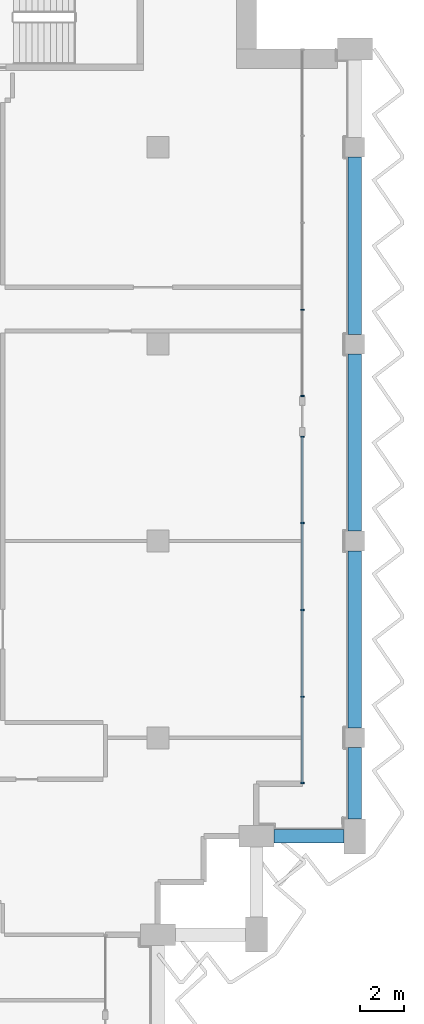
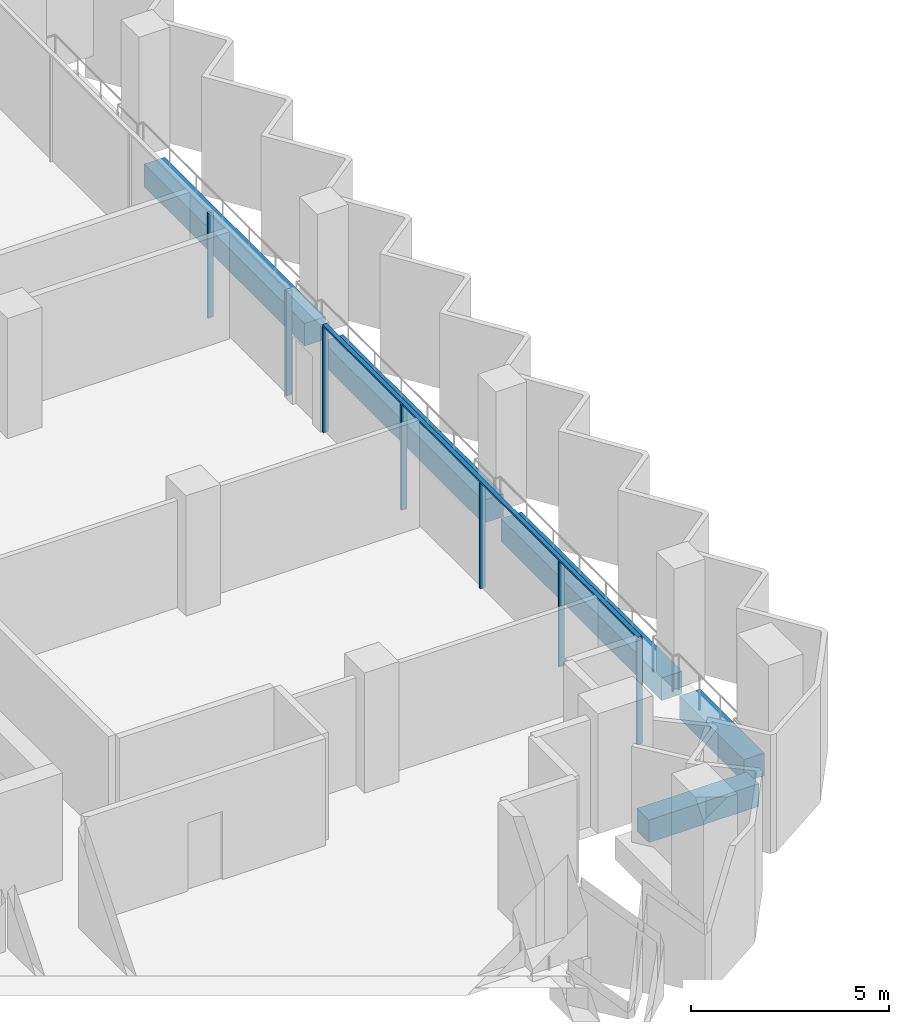
# One storey, part 4 of 16: 8 members, 5 beams, 2 elements without a shape of their own.
"""IFC4 building model written with IfcOpenShell, lengths in metres."""

from ifc_helpers import new_model, si_unit, direction, frame, origin, origin_2d, place, context, subcontext, project, spatial, rectangle, extrude, material, material_profile, profile_set, type_object, element, aggregate, save


model = new_model("IFC4")

# Units and contexts
model_context = context("Model", 3, precision=1e-05, world=origin(), true_north=direction((0.0, 1.0)))
body_context = subcontext(model_context, "Body", "Model", "MODEL_VIEW")
ifc_project = project(units=[si_unit("LENGTHUNIT", "METRE"), si_unit("AREAUNIT", "SQUARE_METRE"), si_unit("VOLUMEUNIT", "CUBIC_METRE"), si_unit("PLANEANGLEUNIT", "RADIAN"), si_unit("MASSUNIT", "GRAM", prefix="KILO")], contexts=[model_context])

# Site, building, storey
site_placement = place(None, origin())
site = spatial("IfcSite", under=ifc_project, at=site_placement, CompositionType="ELEMENT")
building_placement = place(site_placement, origin())
building = spatial("IfcBuilding", under=site, at=building_placement, Name="Hunhe Ridgeline Campus", CompositionType="ELEMENT")
storey_placement = place(building_placement, frame((0.0, 0.0, 261.39990234375)))
storey = spatial("IfcBuildingStorey", under=building, at=storey_placement, Name="L67", CompositionType="ELEMENT", Elevation=261.39990234375)

# Curtain wall, members
ifc_material_1 = material(Name="Aluminium 6063", Category="aluminium")
curtain_wall_type = type_object("IfcCurtainWallType", Name="Curtain wall CW-1", PredefinedType="NOTDEFINED", material=ifc_material_1)
curtain_wall_1_placement = place(storey_placement, origin())
curtain_wall_1 = element("IfcCurtainWall", 1, at=curtain_wall_1_placement, inside=storey, type_object=curtain_wall_type, Name="Curtain wall 13", PredefinedType="NOTDEFINED")
ifc_material_profile_1 = material_profile(ifc_material_1, rectangle(XDim=0.159912109375, YDim=0.06005859375, at=origin_2d()))
ifc_profile_set_1 = profile_set([ifc_material_profile_1], Name="Aluminium 6063")
member_type_1 = type_object("IfcMemberType", Name="CW-1 aluminium mullion", PredefinedType="MULLION", material=ifc_profile_set_1)
member_1_placement = place(storey_placement, frame((51.59912109375, 60.930908203125, 0.0), z_axis=(0.0, 0.0, 1.0), x_axis=(-1.0, 0.0, 0.0)))
member_1 = element("IfcMember", 2, at=member_1_placement, type_object=member_type_1, Name="CW-1 mullion 1", PredefinedType="MULLION", context=body_context, shape_type="SweptSolid", body=[
    extrude(rectangle(XDim=0.159912109375, YDim=0.06005859375, at=origin_2d()), origin(), (0.0, 0.0, 1.0), 3.239990234375),
])
member_2_placement = place(storey_placement, frame((51.59912109375, 64.8759765625, 0.0), z_axis=(0.0, 0.0, 1.0), x_axis=(-1.0, 0.0, 0.0)))
member_2 = element("IfcMember", 3, at=member_2_placement, type_object=member_type_1, Name="CW-1 mullion 2", PredefinedType="MULLION", context=body_context, shape_type="SweptSolid", body=[
    extrude(rectangle(XDim=0.159912109375, YDim=0.06005859375, at=origin_2d()), origin(), (0.0, 0.0, 1.0), 3.239990234375),
])
member_3_placement = place(storey_placement, frame((51.59912109375, 68.850830078125, 0.0), z_axis=(0.0, 0.0, 1.0), x_axis=(-1.0, 0.0, 0.0)))
member_3 = element("IfcMember", 4, at=member_3_placement, type_object=member_type_1, Name="CW-1 mullion 3", PredefinedType="MULLION", context=body_context, shape_type="SweptSolid", body=[
    extrude(rectangle(XDim=0.159912109375, YDim=0.06005859375, at=origin_2d()), origin(), (0.0, 0.0, 1.0), 3.239990234375),
])
member_4_placement = place(storey_placement, frame((51.59912109375, 72.82568359375, 0.0), z_axis=(0.0, 0.0, 1.0), x_axis=(-1.0, 0.0, 0.0)))
member_4 = element("IfcMember", 5, at=member_4_placement, type_object=member_type_1, Name="CW-1 mullion 4", PredefinedType="MULLION", context=body_context, shape_type="SweptSolid", body=[
    extrude(rectangle(XDim=0.159912109375, YDim=0.06005859375, at=origin_2d()), origin(), (0.0, 0.0, 1.0), 3.239990234375),
])
member_5_placement = place(storey_placement, frame((51.59912109375, 76.7705078125, 0.0), z_axis=(0.0, 0.0, 1.0), x_axis=(-1.0, 0.0, 0.0)))
member_5 = element("IfcMember", 6, at=member_5_placement, type_object=member_type_1, Name="CW-1 mullion 5", PredefinedType="MULLION", context=body_context, shape_type="SweptSolid", body=[
    extrude(rectangle(XDim=0.159912109375, YDim=0.06005859375, at=origin_2d()), origin(), (0.0, 0.0, 1.0), 3.239990234375),
])

curtain_wall_2_placement = place(storey_placement, origin())
curtain_wall_2 = element("IfcCurtainWall", 7, at=curtain_wall_2_placement, inside=storey, type_object=curtain_wall_type, Name="Curtain wall 14", PredefinedType="NOTDEFINED")
member_6_placement = place(storey_placement, frame((51.59912109375, 78.630615234375, 0.0), z_axis=(0.0, 0.0, 1.0), x_axis=(-1.0, 0.0, 0.0)))
member_6 = element("IfcMember", 8, at=member_6_placement, type_object=member_type_1, Name="CW-1 mullion 1", PredefinedType="MULLION", context=body_context, shape_type="SweptSolid", body=[
    extrude(rectangle(XDim=0.159912109375, YDim=0.06005859375, at=origin_2d()), origin(), (0.0, 0.0, 1.0), 3.239990234375),
])
member_7_placement = place(storey_placement, frame((51.59912109375, 82.575439453125, 0.0), z_axis=(0.0, 0.0, 1.0), x_axis=(-1.0, 0.0, 0.0)))
member_7 = element("IfcMember", 9, at=member_7_placement, type_object=member_type_1, Name="CW-1 mullion 2", PredefinedType="MULLION", context=body_context, shape_type="SweptSolid", body=[
    extrude(rectangle(XDim=0.159912109375, YDim=0.06005859375, at=origin_2d()), origin(), (0.0, 0.0, 1.0), 3.239990234375),
])
aggregate(curtain_wall_2, [member_6, member_7])

# Member
ifc_material_profile_2 = material_profile(ifc_material_1, rectangle(XDim=0.1201171875, YDim=0.06005859375, at=origin_2d()))
ifc_profile_set_2 = profile_set([ifc_material_profile_2], Name="Aluminium 6063")
member_type_2 = type_object("IfcMemberType", Name="CW-1 aluminium transom", PredefinedType="USERDEFINED", material=ifc_profile_set_2)
member_8_placement = place(storey_placement, frame((51.59912109375, 60.90087890625, 3.27001953125), z_axis=(0.0, 1.0, 0.0), x_axis=(-1.0, 0.0, 0.0)))
member_8 = element("IfcMember", 10, at=member_8_placement, type_object=member_type_2, Name="CW-1 transom 1", ObjectType="TRANSOM", PredefinedType="USERDEFINED", context=body_context, shape_type="SweptSolid", body=[
    extrude(rectangle(XDim=0.1201171875, YDim=0.06005859375, at=origin_2d()), origin(), (0.0, 0.0, 1.0), 15.899658203125),
])

aggregate(curtain_wall_1, [member_8, member_1, member_2, member_3, member_4, member_5])

# Beams
ifc_material_2 = material(Name="Concrete C50", Category="concrete")
ifc_material_profile_3 = material_profile(ifc_material_2, rectangle(XDim=0.60009765625, YDim=0.699951171875, at=origin_2d()))
ifc_profile_set_3 = profile_set([ifc_material_profile_3], Name="Concrete C50")
beam_type = type_object("IfcBeamType", Name="RC spandrel beam 600x700 Concrete C50", PredefinedType="SPANDREL", material=ifc_profile_set_3)
beam_1_placement = place(storey_placement, frame((50.300048828125, 58.5, -0.599853515625), z_axis=(1.0, 0.0, 0.0), x_axis=(0.0, 1.0, 0.0)))
element("IfcBeam", 11, at=beam_1_placement, inside=storey, type_object=beam_type, Name="Spandrel beam B4-12 L67", PredefinedType="SPANDREL", context=body_context, shape_type="SweptSolid", body=[
    extrude(rectangle(XDim=0.60009765625, YDim=0.699951171875, at=origin_2d()), origin(), (0.0, 0.0, 1.0), 3.199951171875),
])
beam_2_placement = place(storey_placement, frame((54.0, 59.300048828125, -0.599853515625), z_axis=(0.0, 1.0, 0.0), x_axis=(-1.0, 0.0, 0.0)))
element("IfcBeam", 12, at=beam_2_placement, inside=storey, type_object=beam_type, Name="Spandrel beam B4-13 L67", PredefinedType="SPANDREL", context=body_context, shape_type="SweptSolid", body=[
    extrude(rectangle(XDim=0.60009765625, YDim=0.699951171875, at=origin_2d()), origin(), (0.0, 0.0, 1.0), 3.25),
])
for number, where, z_axis, x_axis, name in (
    (13, (54.0, 63.449951171875, -0.599853515625), (0.0, 1.0, 0.0), (-1.0, 0.0, 0.0), "Spandrel beam B4-14 L67"),
    (14, (54.0, 72.449951171875, -0.599853515625), (0.0, 1.0, 0.0), (-1.0, 0.0, 0.0), "Spandrel beam B4-15 L67"),
    (15, (54.0, 81.449951171875, -0.599853515625), (0.0, 1.0, 0.0), (-1.0, 0.0, 0.0), "Spandrel beam B4-16 L67"),
):
    element("IfcBeam", number, at=place(storey_placement, frame(where, z_axis=z_axis, x_axis=x_axis)), inside=storey, type_object=beam_type, Name=name, PredefinedType="SPANDREL", context=body_context, shape_type="SweptSolid", body=[
        extrude(rectangle(XDim=0.60009765625, YDim=0.699951171875, at=origin_2d()), origin(), (0.0, 0.0, 1.0), 8.10009765625),
    ])

save(model, "model.ifc")
